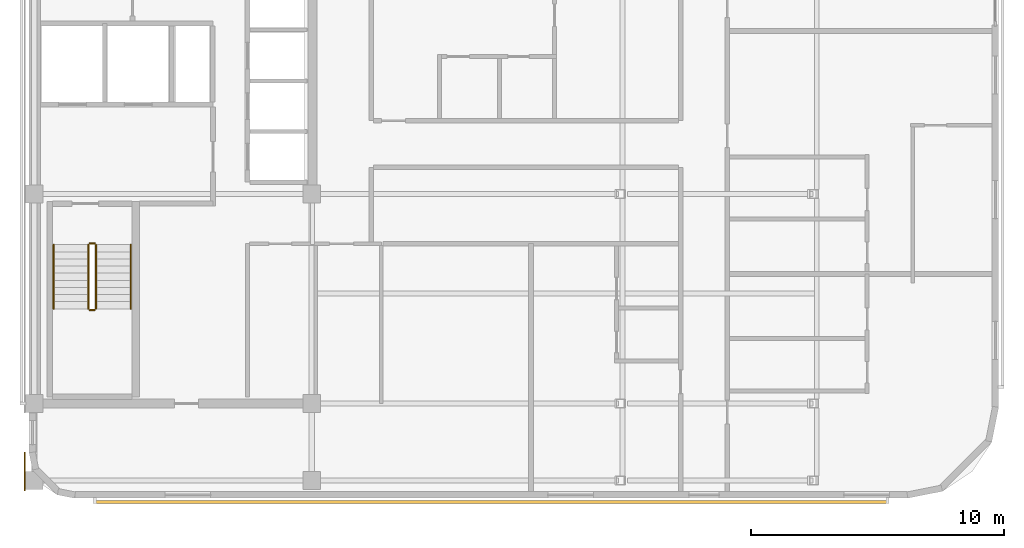
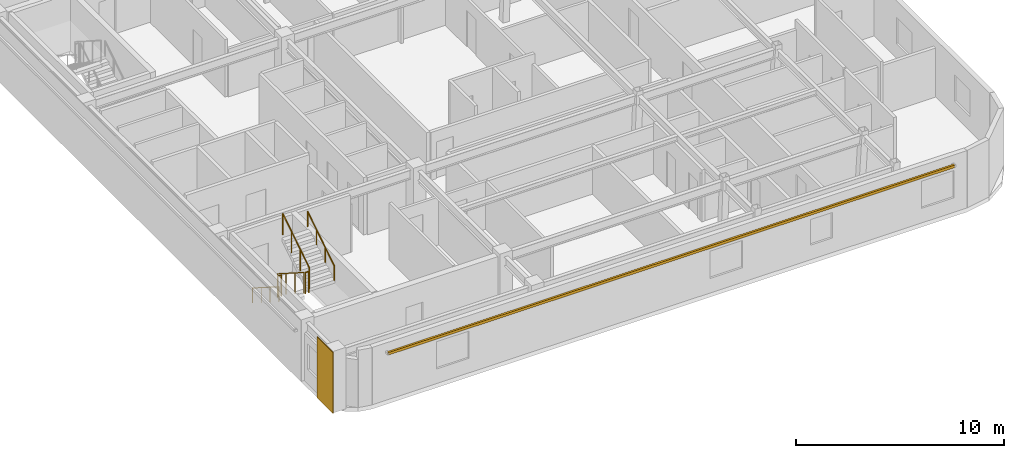
# One storey, part 8 of 10: 6 railings, 1 covering, 1 shading device.
"""IFC4 building model written with IfcOpenShell, lengths in metres."""

from ifc_helpers import new_model, si_unit, direction, frame, origin, origin_2d, place, context, subcontext, project, spatial, rectangle, circle, extrude, material, layer, layer_set, material_profile, profile_set, type_object, element, save


model = new_model("IFC4")

# Units and contexts
model_context = context("Model", 3, precision=1e-05, world=origin(), true_north=direction((0.0, 1.0)))
body_context = subcontext(model_context, "Body", "Model", "MODEL_VIEW")
ifc_project = project(units=[si_unit("LENGTHUNIT", "METRE"), si_unit("AREAUNIT", "SQUARE_METRE"), si_unit("VOLUMEUNIT", "CUBIC_METRE"), si_unit("PLANEANGLEUNIT", "RADIAN"), si_unit("MASSUNIT", "GRAM", prefix="KILO")], contexts=[model_context])

# Site, building, storey
site_placement = place(None, origin())
site = spatial("IfcSite", under=ifc_project, at=site_placement, CompositionType="ELEMENT")
building_placement = place(site_placement, origin())
building = spatial("IfcBuilding", under=site, at=building_placement, Name="Ochreholt Gables", CompositionType="ELEMENT")
storey_placement = place(building_placement, frame((0.0, 0.0, 213.0)))
storey = spatial("IfcBuildingStorey", under=building, at=storey_placement, Name="L55", CompositionType="ELEMENT", Elevation=213.0)

# Covering
ifc_material_1 = material(Name="Glazed Ochre Terracotta Rainscreen Cladding", Category="masonry")
ifc_layer = layer(ifc_material_1, 0.044921875, Name="Glazed Ochre Terracotta Rainscreen Cladding")
ifc_layer_set = layer_set([ifc_layer], Name="Glazed Ochre Terracotta Rainscreen Cladding")
covering_type = type_object("IfcCoveringType", Name="COV-CLAD-TC", PredefinedType="CLADDING", material=ifc_layer_set)
covering_placement = place(storey_placement, frame((23.827880859375, 6.56005859375, 0.010009765625), z_axis=(0.0, 0.0, 1.0), x_axis=(0.0, 1.0, 0.0)))
element("IfcCovering", 1, at=covering_placement, inside=storey, type_object=covering_type, Name="L55 South-West Pier Terracotta Cladding", PredefinedType="CLADDING", context=body_context, shape_type="SweptSolid", body=[
    extrude(rectangle(XDim=1.52001953125, YDim=0.044921875, at=origin_2d()), origin(), (0.0, 0.0, 1.0), 3.580078125),
])

# Railings
ifc_material_2 = material(Name="Painted Steel Stair Guardrail", Category="steel")
railing_type_1 = type_object("IfcRailingType", Name="RL-ST-GUARD", PredefinedType="GUARDRAIL", material=ifc_material_2)
railing_1_placement = place(storey_placement, frame((26.35009765625, 15.5400390625, 0.179931640625)))
element("IfcRailing", 2, at=railing_1_placement, inside=storey, type_object=railing_type_1, Name="L55 ST-1 stair guard 1", PredefinedType="GUARDRAIL", context=body_context, shape_type="SweptSolid", body=[
    extrude(circle(Radius=0.02392578125, at=origin_2d()), frame((0.0, 0.0, 1.22607421875), z_axis=(0.0, -0.842912820907, 0.538050161556), x_axis=(1.0, 0.0, 0.0)), (0.0, 0.0, 1.0), 3.010986328125),
    extrude(circle(Radius=0.02099609375, at=origin_2d()), origin(), (0.0, 0.0, 1.0), 1.201904296875),
    extrude(circle(Radius=0.02099609375, at=origin_2d()), frame((0.0, -0.845947265625, 0.5400390625)), (0.0, 0.0, 1.0), 1.201904296875),
    extrude(circle(Radius=0.02099609375, at=origin_2d()), frame((0.0, -1.692138671875, 1.080078125)), (0.0, 0.0, 1.0), 1.201904296875),
    extrude(circle(Radius=0.02099609375, at=origin_2d()), frame((0.0, -2.5380859375, 1.6201171875)), (0.0, 0.0, 1.0), 1.201904296875),
])
railing_2_placement = place(storey_placement, frame((26.39990234375, 12.951904296875, 1.800048828125)))
element("IfcRailing", 3, at=railing_2_placement, inside=storey, type_object=railing_type_1, Name="L55 ST-1 stair guard 2", PredefinedType="GUARDRAIL", context=body_context, shape_type="SweptSolid", body=[
    extrude(circle(Radius=0.02392578125, at=origin_2d()), frame((0.0, 0.0, 1.22607421875), z_axis=(1.0, 0.0, 0.0), x_axis=(0.0, 1.0, 0.0)), (0.0, 0.0, 1.0), 0.2001953125),
    extrude(circle(Radius=0.02099609375, at=origin_2d()), origin(), (0.0, 0.0, 1.0), 1.201904296875),
    extrude(circle(Radius=0.02099609375, at=origin_2d()), frame((0.2001953125, 0.0, 0.0)), (0.0, 0.0, 1.0), 1.201904296875),
])
railing_3_placement = place(storey_placement, frame((26.64990234375, 13.001953125, 1.97998046875)))
element("IfcRailing", 4, at=railing_3_placement, inside=storey, type_object=railing_type_1, Name="L55 ST-1 stair guard 3", PredefinedType="GUARDRAIL", context=body_context, shape_type="SweptSolid", body=[
    extrude(circle(Radius=0.02392578125, at=origin_2d()), frame((0.0, 0.0, 1.22607421875), z_axis=(0.0, 0.842912820907, 0.538050161556), x_axis=(-1.0, 0.0, 0.0)), (0.0, 0.0, 1.0), 3.010986328125),
    extrude(circle(Radius=0.02099609375, at=origin_2d()), origin(), (0.0, 0.0, 1.0), 1.201904296875),
    extrude(circle(Radius=0.02099609375, at=origin_2d()), frame((0.0, 0.845947265625, 0.5400390625)), (0.0, 0.0, 1.0), 1.201904296875),
    extrude(circle(Radius=0.02099609375, at=origin_2d()), frame((0.0, 1.692138671875, 1.080078125)), (0.0, 0.0, 1.0), 1.201904296875),
    extrude(circle(Radius=0.02099609375, at=origin_2d()), frame((0.0, 2.5380859375, 1.6201171875)), (0.0, 0.0, 1.0), 1.201904296875),
])
railing_4_placement = place(storey_placement, frame((26.39990234375, 15.590087890625, 0.0)))
element("IfcRailing", 5, at=railing_4_placement, inside=storey, type_object=railing_type_1, Name="L55 ST-1 stair guard 4", PredefinedType="GUARDRAIL", context=body_context, shape_type="SweptSolid", body=[
    extrude(circle(Radius=0.02392578125, at=origin_2d()), frame((0.0, 0.0, 1.22607421875), z_axis=(1.0, 0.0, 0.0), x_axis=(0.0, 1.0, 0.0)), (0.0, 0.0, 1.0), 0.2001953125),
    extrude(circle(Radius=0.02099609375, at=origin_2d()), origin(), (0.0, 0.0, 1.0), 1.201904296875),
    extrude(circle(Radius=0.02099609375, at=origin_2d()), frame((0.2001953125, 0.0, 0.0)), (0.0, 0.0, 1.0), 1.201904296875),
])
ifc_material_3 = material(Name="Brushed Stainless Steel Wall Handrail", Category="steel")
railing_type_2 = type_object("IfcRailingType", Name="RL-ST-HAND", PredefinedType="HANDRAIL", material=ifc_material_3)
railing_5_placement = place(storey_placement, frame((24.969970703125, 15.5400390625, 0.179931640625)))
element("IfcRailing", 6, at=railing_5_placement, inside=storey, type_object=railing_type_2, Name="L55 ST-1 stair handrail 1", PredefinedType="HANDRAIL", context=body_context, shape_type="SweptSolid", body=[
    extrude(circle(Radius=0.02392578125, at=origin_2d()), frame((0.0, 0.0, 0.8759765625), z_axis=(0.0, -0.842912820907, 0.538050161556), x_axis=(1.0, 0.0, 0.0)), (0.0, 0.0, 1.0), 3.010986328125),
    extrude(circle(Radius=0.02099609375, at=origin_2d()), origin(), (0.0, 0.0, 1.0), 0.851806640625),
    extrude(circle(Radius=0.02099609375, at=origin_2d()), frame((0.0, -0.845947265625, 0.5400390625)), (0.0, 0.0, 1.0), 0.851806640625),
    extrude(circle(Radius=0.02099609375, at=origin_2d()), frame((0.0, -1.692138671875, 1.080078125)), (0.0, 0.0, 1.0), 0.851806640625),
    extrude(circle(Radius=0.02099609375, at=origin_2d()), frame((0.0, -2.5380859375, 1.6201171875)), (0.0, 0.0, 1.0), 0.851806640625),
])
railing_6_placement = place(storey_placement, frame((28.030029296875, 13.001953125, 1.97998046875)))
element("IfcRailing", 7, at=railing_6_placement, inside=storey, type_object=railing_type_2, Name="L55 ST-1 stair handrail 2", PredefinedType="HANDRAIL", context=body_context, shape_type="SweptSolid", body=[
    extrude(circle(Radius=0.02392578125, at=origin_2d()), frame((0.0, 0.0, 0.8759765625), z_axis=(0.0, 0.842912820907, 0.538050161556), x_axis=(-1.0, 0.0, 0.0)), (0.0, 0.0, 1.0), 3.010986328125),
    extrude(circle(Radius=0.02099609375, at=origin_2d()), origin(), (0.0, 0.0, 1.0), 0.851806640625),
    extrude(circle(Radius=0.02099609375, at=origin_2d()), frame((0.0, 0.845947265625, 0.5400390625)), (0.0, 0.0, 1.0), 0.851806640625),
    extrude(circle(Radius=0.02099609375, at=origin_2d()), frame((0.0, 1.692138671875, 1.080078125)), (0.0, 0.0, 1.0), 0.851806640625),
    extrude(circle(Radius=0.02099609375, at=origin_2d()), frame((0.0, 2.5380859375, 1.6201171875)), (0.0, 0.0, 1.0), 0.851806640625),
])

# Shading device
ifc_material_4 = material(Name="Warm Ochre Glazed Terracotta Baguette", Category="masonry")
ifc_material_profile = material_profile(ifc_material_4, rectangle(XDim=0.110107421875, YDim=0.14990234375, at=origin_2d()), Name="TCBAG110X150")
ifc_profile_set = profile_set([ifc_material_profile], Name="Warm Ochre Glazed Terracotta Baguette")
shading_device_type = type_object("IfcShadingDeviceType", Name="SHD-BAGUETTE", PredefinedType="USERDEFINED", material=ifc_profile_set)
shading_device_placement = place(storey_placement, frame((26.60009765625, 5.35009765625, 2.840087890625), z_axis=(1.0, 0.0, 0.0), x_axis=(0.0, 1.0, 0.0)))
element("IfcShadingDevice", 8, at=shading_device_placement, inside=storey, type_object=shading_device_type, Name="L55 Terracotta Baguette Screen S-1", ObjectType="BAGUETTE", PredefinedType="USERDEFINED", context=body_context, shape_type="SweptSolid", body=[
    extrude(rectangle(XDim=0.110107421875, YDim=0.14990234375, at=origin_2d()), origin(), (0.0, 0.0, 1.0), 31.39990234375),
])

save(model, "model.ifc")
